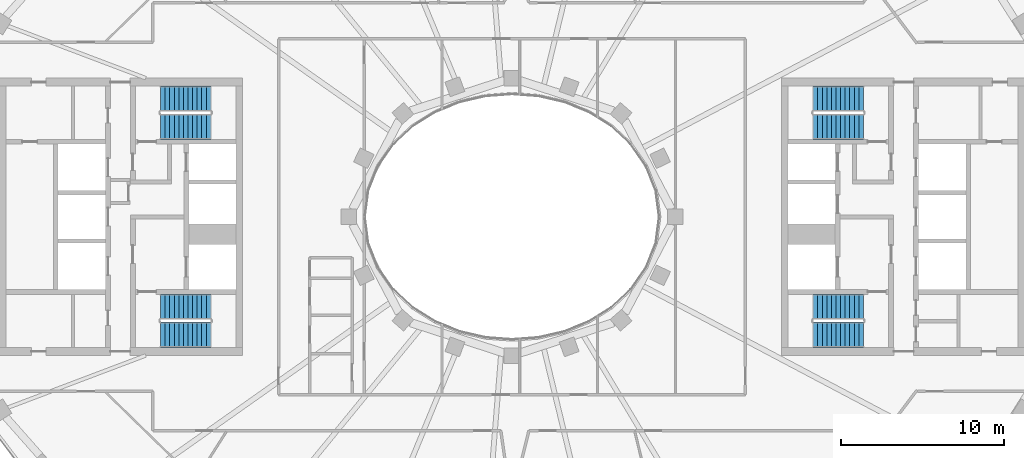
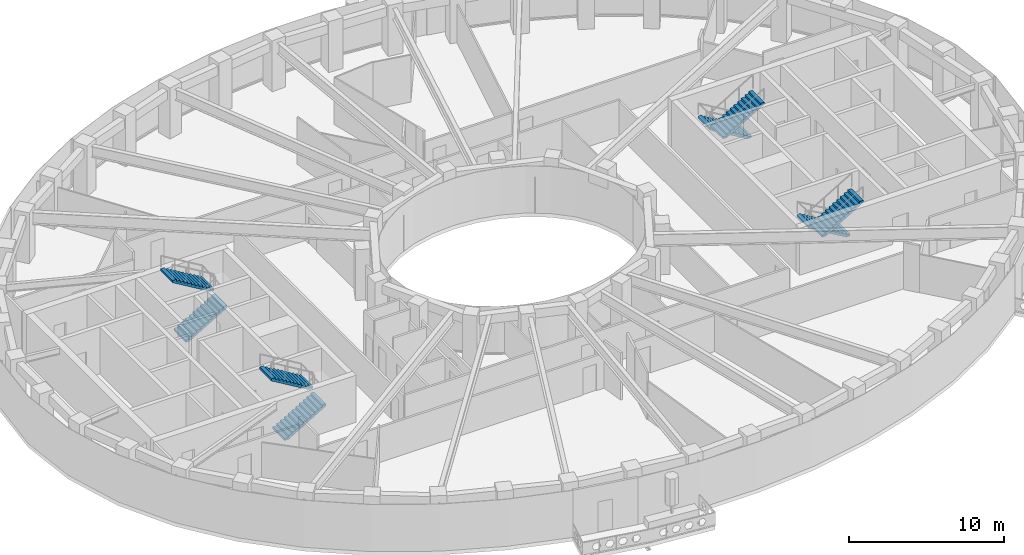
# One storey, part 7 of 16: 8 stair flights, 4 elements without a shape of their own.
"""IFC4 building model written with IfcOpenShell, lengths in metres."""

from ifc_helpers import new_model, si_unit, direction, frame, origin, place, context, subcontext, project, spatial, polyline, outline, extrude, material, type_object, element, aggregate, save


model = new_model("IFC4")

# Units and contexts
model_context = context("Model", 3, precision=1e-05, world=origin(), true_north=direction((0.0, 1.0)))
body_context = subcontext(model_context, "Body", "Model", "MODEL_VIEW")
ifc_project = project(units=[si_unit("LENGTHUNIT", "METRE"), si_unit("AREAUNIT", "SQUARE_METRE"), si_unit("VOLUMEUNIT", "CUBIC_METRE"), si_unit("PLANEANGLEUNIT", "RADIAN"), si_unit("MASSUNIT", "GRAM", prefix="KILO")], contexts=[model_context])

# Site, building, storey
site_placement = place(None, origin())
site = spatial("IfcSite", under=ifc_project, at=site_placement, CompositionType="ELEMENT")
building_placement = place(site_placement, origin())
building = spatial("IfcBuilding", under=site, at=building_placement, Name="Noorbagh Ring Tower", CompositionType="ELEMENT")
storey_placement = place(building_placement, frame((0.0, 0.0, 261.5)))
storey = spatial("IfcBuildingStorey", under=building, at=storey_placement, Name="L55", CompositionType="ELEMENT", Elevation=261.5)

# Stair, stair flights
ifc_material_1 = material(Name="Concrete C40/50", Category="concrete")
stair_type = type_object("IfcStairType", Name="CORE-STAIR", PredefinedType="HALF_TURN_STAIR", material=ifc_material_1)
stair_1_placement = place(storey_placement, origin())
stair_1 = element("IfcStair", 1, at=stair_1_placement, inside=storey, type_object=stair_type, Name="L55 Exit stair ST1", PredefinedType="HALF_TURN_STAIR")
ifc_material_2 = material(Name="Concrete C40/50", Category="concrete")
stair_flight_type = type_object("IfcStairFlightType", Name="CORE-STAIR-FLIGHT", PredefinedType="STRAIGHT", material=ifc_material_2)
stair_flight_1_placement = place(storey_placement, frame((-21.530029296875, 5.52490234375, 0.0), z_axis=(0.0, 0.0, 1.0), x_axis=(1.0, 0.0, 0.0)))
stair_flight_1 = element("IfcStairFlight", 2, at=stair_flight_1_placement, type_object=stair_flight_type, Name="ST1 flight 1", NumberOfRisers=12, NumberOfTreads=11, PredefinedType="STRAIGHT", RiserHeight=0.166666667, TreadLength=0.28, context=body_context, shape_type="SweptSolid", body=[
    extrude(outline(polyline([(0.0, 0.0), (0.0, 0.166748046875), (0.280029296875, 0.166748046875), (0.280029296875, 0.333251953125), (0.56005859375, 0.333251953125), (0.56005859375, 0.5), (0.840087890625, 0.5), (0.840087890625, 0.666748046875), (1.1201171875, 0.666748046875), (1.1201171875, 0.833251953125), (1.39990234375, 0.833251953125), (1.39990234375, 1.0), (1.679931640625, 1.0), (1.679931640625, 1.166748046875), (1.9599609375, 1.166748046875), (1.9599609375, 1.333251953125), (2.239990234375, 1.333251953125), (2.239990234375, 1.5), (2.52001953125, 1.5), (2.52001953125, 1.666748046875), (2.800048828125, 1.666748046875), (2.800048828125, 1.833251953125), (3.080078125, 1.833251953125), (3.080078125, 2.0), (3.080078125, 1.658935546875), (0.29296875, 0.0), (0.0, 0.0)])), frame((0.0, 0.77490234375, 0.0), z_axis=(0.0, -1.0, 0.0), x_axis=(1.0, 0.0, 0.0)), (0.0, 0.0, 1.0), 1.550048828125),
])
stair_flight_2_placement = place(storey_placement, frame((-18.449951171875, 7.22509765625, 2.0), z_axis=(0.0, 0.0, 1.0), x_axis=(-1.0, 0.0, 0.0)))
stair_flight_2 = element("IfcStairFlight", 3, at=stair_flight_2_placement, type_object=stair_flight_type, Name="ST1 flight 2", NumberOfRisers=12, NumberOfTreads=11, PredefinedType="STRAIGHT", RiserHeight=0.166666667, TreadLength=0.28, context=body_context, shape_type="SweptSolid", body=[
    extrude(outline(polyline([(0.0, 0.0), (0.0, 0.166748046875), (0.280029296875, 0.166748046875), (0.280029296875, 0.333251953125), (0.56005859375, 0.333251953125), (0.56005859375, 0.5), (0.840087890625, 0.5), (0.840087890625, 0.666748046875), (1.1201171875, 0.666748046875), (1.1201171875, 0.833251953125), (1.39990234375, 0.833251953125), (1.39990234375, 1.0), (1.679931640625, 1.0), (1.679931640625, 1.166748046875), (1.9599609375, 1.166748046875), (1.9599609375, 1.333251953125), (2.239990234375, 1.333251953125), (2.239990234375, 1.5), (2.52001953125, 1.5), (2.52001953125, 1.666748046875), (2.800048828125, 1.666748046875), (2.800048828125, 1.833251953125), (3.080078125, 1.833251953125), (3.080078125, 2.0), (3.080078125, 1.658935546875), (0.29296875, 0.0), (0.0, 0.0)])), frame((0.0, 0.77490234375, 0.0), z_axis=(0.0, -1.0, 0.0), x_axis=(1.0, 0.0, 0.0)), (0.0, 0.0, 1.0), 1.550048828125),
])
aggregate(stair_1, [stair_flight_1, stair_flight_2])

stair_2_placement = place(storey_placement, origin())
stair_2 = element("IfcStair", 4, at=stair_2_placement, inside=storey, type_object=stair_type, Name="L55 Exit stair ST2", PredefinedType="HALF_TURN_STAIR")
stair_flight_3_placement = place(storey_placement, frame((-21.530029296875, -7.22509765625, 0.0), z_axis=(0.0, 0.0, 1.0), x_axis=(1.0, 0.0, 0.0)))
stair_flight_3 = element("IfcStairFlight", 5, at=stair_flight_3_placement, type_object=stair_flight_type, Name="ST2 flight 1", NumberOfRisers=12, NumberOfTreads=11, PredefinedType="STRAIGHT", RiserHeight=0.166666667, TreadLength=0.28, context=body_context, shape_type="SweptSolid", body=[
    extrude(outline(polyline([(0.0, 0.0), (0.0, 0.166748046875), (0.280029296875, 0.166748046875), (0.280029296875, 0.333251953125), (0.56005859375, 0.333251953125), (0.56005859375, 0.5), (0.840087890625, 0.5), (0.840087890625, 0.666748046875), (1.1201171875, 0.666748046875), (1.1201171875, 0.833251953125), (1.39990234375, 0.833251953125), (1.39990234375, 1.0), (1.679931640625, 1.0), (1.679931640625, 1.166748046875), (1.9599609375, 1.166748046875), (1.9599609375, 1.333251953125), (2.239990234375, 1.333251953125), (2.239990234375, 1.5), (2.52001953125, 1.5), (2.52001953125, 1.666748046875), (2.800048828125, 1.666748046875), (2.800048828125, 1.833251953125), (3.080078125, 1.833251953125), (3.080078125, 2.0), (3.080078125, 1.658935546875), (0.29296875, 0.0), (0.0, 0.0)])), frame((0.0, 0.77490234375, 0.0), z_axis=(0.0, -1.0, 0.0), x_axis=(1.0, 0.0, 0.0)), (0.0, 0.0, 1.0), 1.550048828125),
])
stair_flight_4_placement = place(storey_placement, frame((-18.449951171875, -5.52490234375, 2.0), z_axis=(0.0, 0.0, 1.0), x_axis=(-1.0, 0.0, 0.0)))
stair_flight_4 = element("IfcStairFlight", 6, at=stair_flight_4_placement, type_object=stair_flight_type, Name="ST2 flight 2", NumberOfRisers=12, NumberOfTreads=11, PredefinedType="STRAIGHT", RiserHeight=0.166666667, TreadLength=0.28, context=body_context, shape_type="SweptSolid", body=[
    extrude(outline(polyline([(0.0, 0.0), (0.0, 0.166748046875), (0.280029296875, 0.166748046875), (0.280029296875, 0.333251953125), (0.56005859375, 0.333251953125), (0.56005859375, 0.5), (0.840087890625, 0.5), (0.840087890625, 0.666748046875), (1.1201171875, 0.666748046875), (1.1201171875, 0.833251953125), (1.39990234375, 0.833251953125), (1.39990234375, 1.0), (1.679931640625, 1.0), (1.679931640625, 1.166748046875), (1.9599609375, 1.166748046875), (1.9599609375, 1.333251953125), (2.239990234375, 1.333251953125), (2.239990234375, 1.5), (2.52001953125, 1.5), (2.52001953125, 1.666748046875), (2.800048828125, 1.666748046875), (2.800048828125, 1.833251953125), (3.080078125, 1.833251953125), (3.080078125, 2.0), (3.080078125, 1.658935546875), (0.29296875, 0.0), (0.0, 0.0)])), frame((0.0, 0.77490234375, 0.0), z_axis=(0.0, -1.0, 0.0), x_axis=(1.0, 0.0, 0.0)), (0.0, 0.0, 1.0), 1.550048828125),
])
aggregate(stair_2, [stair_flight_3, stair_flight_4])

stair_3_placement = place(storey_placement, origin())
stair_3 = element("IfcStair", 7, at=stair_3_placement, inside=storey, type_object=stair_type, Name="L55 Exit stair ST3", PredefinedType="HALF_TURN_STAIR")
stair_flight_5_placement = place(storey_placement, frame((21.530029296875, 7.22509765625, 0.0), z_axis=(0.0, 0.0, 1.0), x_axis=(-1.0, 0.0, 0.0)))
stair_flight_5 = element("IfcStairFlight", 8, at=stair_flight_5_placement, type_object=stair_flight_type, Name="ST3 flight 1", NumberOfRisers=12, NumberOfTreads=11, PredefinedType="STRAIGHT", RiserHeight=0.166666667, TreadLength=0.28, context=body_context, shape_type="SweptSolid", body=[
    extrude(outline(polyline([(0.0, 0.0), (0.0, 0.166748046875), (0.280029296875, 0.166748046875), (0.280029296875, 0.333251953125), (0.56005859375, 0.333251953125), (0.56005859375, 0.5), (0.840087890625, 0.5), (0.840087890625, 0.666748046875), (1.1201171875, 0.666748046875), (1.1201171875, 0.833251953125), (1.39990234375, 0.833251953125), (1.39990234375, 1.0), (1.679931640625, 1.0), (1.679931640625, 1.166748046875), (1.9599609375, 1.166748046875), (1.9599609375, 1.333251953125), (2.239990234375, 1.333251953125), (2.239990234375, 1.5), (2.52001953125, 1.5), (2.52001953125, 1.666748046875), (2.800048828125, 1.666748046875), (2.800048828125, 1.833251953125), (3.080078125, 1.833251953125), (3.080078125, 2.0), (3.080078125, 1.658935546875), (0.29296875, 0.0), (0.0, 0.0)])), frame((0.0, 0.77490234375, 0.0), z_axis=(0.0, -1.0, 0.0), x_axis=(1.0, 0.0, 0.0)), (0.0, 0.0, 1.0), 1.550048828125),
])
stair_flight_6_placement = place(storey_placement, frame((18.449951171875, 5.52490234375, 2.0), z_axis=(0.0, 0.0, 1.0), x_axis=(1.0, 0.0, 0.0)))
stair_flight_6 = element("IfcStairFlight", 9, at=stair_flight_6_placement, type_object=stair_flight_type, Name="ST3 flight 2", NumberOfRisers=12, NumberOfTreads=11, PredefinedType="STRAIGHT", RiserHeight=0.166666667, TreadLength=0.28, context=body_context, shape_type="SweptSolid", body=[
    extrude(outline(polyline([(0.0, 0.0), (0.0, 0.166748046875), (0.280029296875, 0.166748046875), (0.280029296875, 0.333251953125), (0.56005859375, 0.333251953125), (0.56005859375, 0.5), (0.840087890625, 0.5), (0.840087890625, 0.666748046875), (1.1201171875, 0.666748046875), (1.1201171875, 0.833251953125), (1.39990234375, 0.833251953125), (1.39990234375, 1.0), (1.679931640625, 1.0), (1.679931640625, 1.166748046875), (1.9599609375, 1.166748046875), (1.9599609375, 1.333251953125), (2.239990234375, 1.333251953125), (2.239990234375, 1.5), (2.52001953125, 1.5), (2.52001953125, 1.666748046875), (2.800048828125, 1.666748046875), (2.800048828125, 1.833251953125), (3.080078125, 1.833251953125), (3.080078125, 2.0), (3.080078125, 1.658935546875), (0.29296875, 0.0), (0.0, 0.0)])), frame((0.0, 0.77490234375, 0.0), z_axis=(0.0, -1.0, 0.0), x_axis=(1.0, 0.0, 0.0)), (0.0, 0.0, 1.0), 1.550048828125),
])
aggregate(stair_3, [stair_flight_5, stair_flight_6])

stair_4_placement = place(storey_placement, origin())
stair_4 = element("IfcStair", 10, at=stair_4_placement, inside=storey, type_object=stair_type, Name="L55 Exit stair ST4", PredefinedType="HALF_TURN_STAIR")
stair_flight_7_placement = place(storey_placement, frame((21.530029296875, -5.52490234375, 0.0), z_axis=(0.0, 0.0, 1.0), x_axis=(-1.0, 0.0, 0.0)))
stair_flight_7 = element("IfcStairFlight", 11, at=stair_flight_7_placement, type_object=stair_flight_type, Name="ST4 flight 1", NumberOfRisers=12, NumberOfTreads=11, PredefinedType="STRAIGHT", RiserHeight=0.166666667, TreadLength=0.28, context=body_context, shape_type="SweptSolid", body=[
    extrude(outline(polyline([(0.0, 0.0), (0.0, 0.166748046875), (0.280029296875, 0.166748046875), (0.280029296875, 0.333251953125), (0.56005859375, 0.333251953125), (0.56005859375, 0.5), (0.840087890625, 0.5), (0.840087890625, 0.666748046875), (1.1201171875, 0.666748046875), (1.1201171875, 0.833251953125), (1.39990234375, 0.833251953125), (1.39990234375, 1.0), (1.679931640625, 1.0), (1.679931640625, 1.166748046875), (1.9599609375, 1.166748046875), (1.9599609375, 1.333251953125), (2.239990234375, 1.333251953125), (2.239990234375, 1.5), (2.52001953125, 1.5), (2.52001953125, 1.666748046875), (2.800048828125, 1.666748046875), (2.800048828125, 1.833251953125), (3.080078125, 1.833251953125), (3.080078125, 2.0), (3.080078125, 1.658935546875), (0.29296875, 0.0), (0.0, 0.0)])), frame((0.0, 0.77490234375, 0.0), z_axis=(0.0, -1.0, 0.0), x_axis=(1.0, 0.0, 0.0)), (0.0, 0.0, 1.0), 1.550048828125),
])
stair_flight_8_placement = place(storey_placement, frame((18.449951171875, -7.22509765625, 2.0), z_axis=(0.0, 0.0, 1.0), x_axis=(1.0, 0.0, 0.0)))
stair_flight_8 = element("IfcStairFlight", 12, at=stair_flight_8_placement, type_object=stair_flight_type, Name="ST4 flight 2", NumberOfRisers=12, NumberOfTreads=11, PredefinedType="STRAIGHT", RiserHeight=0.166666667, TreadLength=0.28, context=body_context, shape_type="SweptSolid", body=[
    extrude(outline(polyline([(0.0, 0.0), (0.0, 0.166748046875), (0.280029296875, 0.166748046875), (0.280029296875, 0.333251953125), (0.56005859375, 0.333251953125), (0.56005859375, 0.5), (0.840087890625, 0.5), (0.840087890625, 0.666748046875), (1.1201171875, 0.666748046875), (1.1201171875, 0.833251953125), (1.39990234375, 0.833251953125), (1.39990234375, 1.0), (1.679931640625, 1.0), (1.679931640625, 1.166748046875), (1.9599609375, 1.166748046875), (1.9599609375, 1.333251953125), (2.239990234375, 1.333251953125), (2.239990234375, 1.5), (2.52001953125, 1.5), (2.52001953125, 1.666748046875), (2.800048828125, 1.666748046875), (2.800048828125, 1.833251953125), (3.080078125, 1.833251953125), (3.080078125, 2.0), (3.080078125, 1.658935546875), (0.29296875, 0.0), (0.0, 0.0)])), frame((0.0, 0.77490234375, 0.0), z_axis=(0.0, -1.0, 0.0), x_axis=(1.0, 0.0, 0.0)), (0.0, 0.0, 1.0), 1.550048828125),
])
aggregate(stair_4, [stair_flight_7, stair_flight_8])

save(model, "model.ifc")
